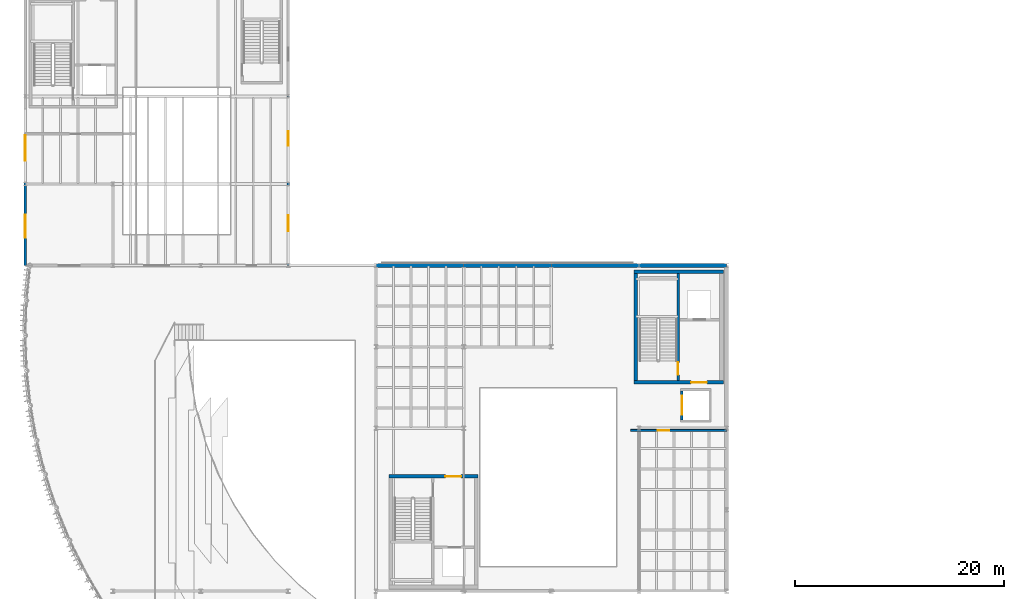
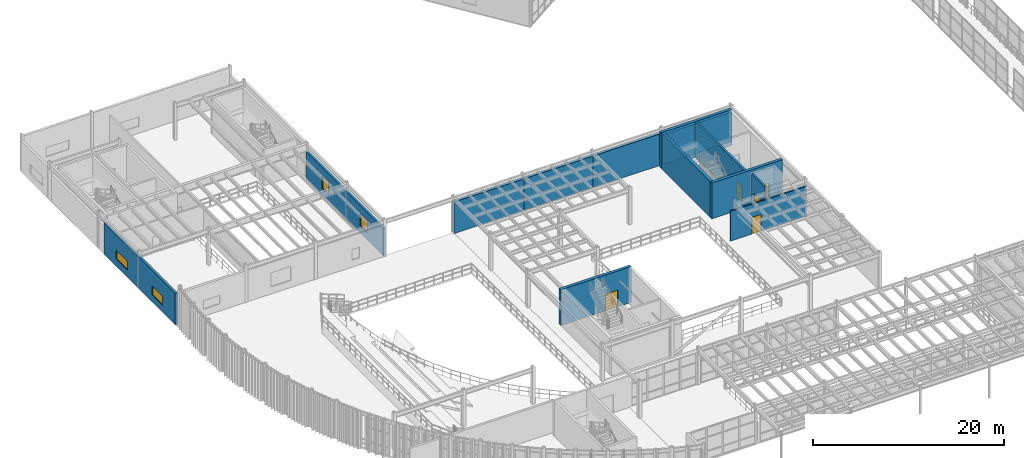
# One storey, part 87 of 105: 13 walls, 5 doors, 4 windows, 9 openings.
"""IFC4 building model written with IfcOpenShell, lengths in metres."""

from ifc_helpers import new_model, si_unit, direction, frame, frame_2d, origin, place, context, subcontext, project, spatial, rectangle, extrude, material, layer, layer_set, type_object, element, fill, save


model = new_model("IFC4")

# Units and contexts
model_context = context("Model", 3, precision=1e-05, world=origin(), true_north=direction((0.0, 1.0)))
body_context = subcontext(model_context, "Body", "Model", "MODEL_VIEW")
ifc_project = project(units=[si_unit("LENGTHUNIT", "METRE"), si_unit("AREAUNIT", "SQUARE_METRE"), si_unit("VOLUMEUNIT", "CUBIC_METRE"), si_unit("PLANEANGLEUNIT", "RADIAN"), si_unit("MASSUNIT", "GRAM", prefix="KILO")], contexts=[model_context])

# Site, building, storey
site_placement = place(None, origin())
site = spatial("IfcSite", under=ifc_project, at=site_placement, CompositionType="ELEMENT")
building_placement = place(site_placement, origin())
building = spatial("IfcBuilding", under=site, at=building_placement, Name="Selat Folded Stagehouse", CompositionType="ELEMENT")
storey_placement = place(building_placement, frame((0.0, 0.0, 10.199951171875)))
storey = spatial("IfcBuildingStorey", under=building, at=storey_placement, Name="L02", CompositionType="ELEMENT", Elevation=10.199951171875)

# Wall, opening, door
ifc_material_1 = material(Name="Concrete C40/50", Category="concrete")
ifc_layer_1 = layer(ifc_material_1, 0.179931640625)
ifc_layer_set_1 = layer_set([ifc_layer_1], Name="Concrete C40/50")
wall_type_1 = type_object("IfcWallType", Name="WAL-COMP-180", PredefinedType="STANDARD", material=ifc_layer_set_1)
wall_1_placement = place(storey_placement, frame((58.0, 38.800048828125, 0.0), z_axis=(0.0, 0.0, 1.0), x_axis=(1.0, 0.0, 0.0)))
wall_1 = element("IfcWall", 1, at=wall_1_placement, inside=storey, type_object=wall_type_1, Name="L02 interior partition wall 068", PredefinedType="STANDARD", context=body_context, shape_type="SweptSolid", body=[
    extrude(rectangle(XDim=9.199951171875, YDim=0.179931640625, at=frame_2d((4.60009765625, 0.0))), origin(), (0.0, 0.0, 1.0), 3.822265625),
])
opening_1_placement = place(wall_1_placement, frame((2.592041015625, 0.0, 0.0)))
opening_1 = element("IfcOpeningElement", 2, at=opening_1_placement, cuts=wall_1, Name="Opening FD-60", PredefinedType="OPENING", context=body_context, shape_type="SweptSolid", body=[
    extrude(rectangle(XDim=1.10009765625, YDim=2.14990234375, at=frame_2d((0.550048828125, 1.074951171875))), frame((0.0, 0.099853515625, 0.0), z_axis=(0.0, -1.0, 0.0), x_axis=(1.0, 0.0, 0.0)), (0.0, 0.0, 1.0), 0.199951171875),
])
ifc_material_2 = material(Name="Fire-rated timber core door", Category="wood")
door_type_1 = type_object("IfcDoorType", Name="DOR-FIRE-60", OperationType="NOTDEFINED", PredefinedType="DOOR", material=ifc_material_2)
door_1_placement = place(opening_1_placement, origin())
door_1 = element("IfcDoor", 3, at=door_1_placement, inside=storey, type_object=door_type_1, Name="L02 interior door IWAL-L02-068-1", OperationType="SINGLE_SWING_RIGHT", OverallHeight=2.14990234375, OverallWidth=1.10009765625, PredefinedType="DOOR", context=body_context, shape_type="SweptSolid", body=[
    extrude(rectangle(XDim=1.10009765625, YDim=2.14990234375, at=frame_2d((0.550048828125, 1.074951171875))), frame((0.0, 0.02490234375, 0.0), z_axis=(0.0, -1.0, 0.0), x_axis=(1.0, 0.0, 0.0)), (0.0, 0.0, 1.0), 0.050048828125),
])
fill(opening_1, door_1)

ifc_layer_2 = layer(ifc_material_1, 0.215087890625)
ifc_layer_set_2 = layer_set([ifc_layer_2], Name="Concrete C40/50")
wall_type_2 = type_object("IfcWallType", Name="WAL-COMP-215", PredefinedType="STANDARD", material=ifc_layer_set_2)
wall_2_placement = place(storey_placement, frame((62.89990234375, 39.8076171875, 0.0), z_axis=(0.0, 0.0, 1.0), x_axis=(0.0, 1.0, 0.0)))
wall_2 = element("IfcWall", 4, at=wall_2_placement, inside=storey, type_object=wall_type_2, Name="L02 GL-01 west front wall", PredefinedType="STANDARD", context=body_context, shape_type="SweptSolid", body=[
    extrude(rectangle(XDim=2.784912109375, YDim=0.215087890625, at=frame_2d((1.392578125, 0.0))), origin(), (0.0, 0.0, 1.0), 4.592041015625),
])
opening_2_placement = place(wall_2_placement, frame((0.492431640625, 0.0, 0.0)))
opening_2 = element("IfcOpeningElement", 5, at=opening_2_placement, cuts=wall_2, Name="Opening LD-02", PredefinedType="OPENING", context=body_context, shape_type="SweptSolid", body=[
    extrude(rectangle(XDim=1.800048828125, YDim=2.39990234375, at=frame_2d((0.89990234375, 1.199951171875))), frame((0.0, 0.117431640625, 0.0), z_axis=(0.0, -1.0, 0.0), x_axis=(1.0, 0.0, 0.0)), (0.0, 0.0, 1.0), 0.235107421875),
])
ifc_material_3 = material(Name="Goods lift heavy sliding landing door", Category="wood")
door_type_2 = type_object("IfcDoorType", Name="DOR-LFT-1800", OperationType="NOTDEFINED", PredefinedType="DOOR", material=ifc_material_3)
door_2_placement = place(opening_2_placement, origin())
door_2 = element("IfcDoor", 6, at=door_2_placement, inside=storey, type_object=door_type_2, Name="L02 GL-01 lift sliding landing door", OperationType="SLIDING_TO_RIGHT", OverallHeight=2.39990234375, OverallWidth=1.800048828125, PredefinedType="DOOR", context=body_context, shape_type="SweptSolid", body=[
    extrude(rectangle(XDim=1.800048828125, YDim=2.39990234375, at=frame_2d((0.89990234375, 1.199951171875))), frame((0.0, 0.02490234375, 0.0), z_axis=(0.0, -1.0, 0.0), x_axis=(1.0, 0.0, 0.0)), (0.0, 0.0, 1.0), 0.050048828125),
])
fill(opening_2, door_2)

ifc_material_4 = material(Name="Concrete C50/60", Category="concrete")
ifc_layer_3 = layer(ifc_material_4, 0.25)
ifc_layer_set_3 = layer_set([ifc_layer_3], Name="Concrete C50/60")
wall_type_3 = type_object("IfcWallType", Name="WAL-CORE-250", PredefinedType="SHEAR", material=ifc_layer_set_3)
wall_3_placement = place(storey_placement, frame((62.550048828125, 53.824951171875, 0.0), z_axis=(0.0, 0.0, 1.0), x_axis=(0.0, -1.0, 0.0)))
wall_3 = element("IfcWall", 7, at=wall_3_placement, inside=storey, type_object=wall_type_3, Name="L02 CR-2 internal core divider wall", PredefinedType="SHEAR", context=body_context, shape_type="SweptSolid", body=[
    extrude(rectangle(XDim=10.25, YDim=0.25, at=frame_2d((5.125, 0.0))), origin(), (0.0, 0.0, 1.0), 4.60009765625),
])
opening_3_placement = place(wall_3_placement, frame((8.5, 0.0, 0.0)))
opening_3 = element("IfcOpeningElement", 8, at=opening_3_placement, cuts=wall_3, Name="Opening FD-120", PredefinedType="OPENING", context=body_context, shape_type="SweptSolid", body=[
    extrude(rectangle(XDim=1.199951171875, YDim=2.14990234375, at=frame_2d((0.60009765625, 1.074951171875))), frame((0.0, 0.135009765625, 0.0), z_axis=(0.0, -1.0, 0.0), x_axis=(1.0, 0.0, 0.0)), (0.0, 0.0, 1.0), 0.27001953125),
])
ifc_material_5 = material(Name="Fire-rated steel acoustic door", Category="steel")
door_type_3 = type_object("IfcDoorType", Name="DOR-FIRE-120", OperationType="NOTDEFINED", PredefinedType="DOOR", material=ifc_material_5)
door_3_placement = place(opening_3_placement, origin())
door_3 = element("IfcDoor", 9, at=door_3_placement, inside=storey, type_object=door_type_3, Name="L02 CR-2 protected stair fire door", OperationType="SINGLE_SWING_LEFT", OverallHeight=2.14990234375, OverallWidth=1.199951171875, PredefinedType="DOOR", context=body_context, shape_type="SweptSolid", body=[
    extrude(rectangle(XDim=1.199951171875, YDim=2.14990234375, at=frame_2d((0.60009765625, 1.074951171875))), frame((0.0, 0.02490234375, 0.0), z_axis=(0.0, -1.0, 0.0), x_axis=(1.0, 0.0, 0.0)), (0.0, 0.0, 1.0), 0.050048828125),
])
fill(opening_3, door_3)

# Wall, openings, windows
ifc_material_6 = material(Name="Precast concrete C40/50", Category="concrete")
ifc_layer_4 = layer(ifc_material_6, 0.27490234375)
ifc_layer_set_4 = layer_set([ifc_layer_4], Name="Precast concrete C40/50")
wall_type_4 = type_object("IfcWallType", Name="WAL-EXT-275", PredefinedType="STANDARD", material=ifc_layer_set_4)
wall_4_placement = place(storey_placement, frame((0.0, 54.60009765625, 0.0), z_axis=(0.0, 0.0, 1.0), x_axis=(0.0, 1.0, 0.0)))
wall_4 = element("IfcWall", 10, at=wall_4_placement, inside=storey, type_object=wall_type_4, Name="L02 exterior facade wall EW-L02-V4W-1", PredefinedType="STANDARD", context=body_context, shape_type="SweptSolid", body=[
    extrude(rectangle(XDim=15.0, YDim=0.27490234375, at=frame_2d((7.5, 0.0))), origin(), (0.0, 0.0, 1.0), 4.032470703125),
])
opening_4_placement = place(wall_4_placement, frame((2.64990234375, 0.0, 0.89990234375)))
opening_4 = element("IfcOpeningElement", 11, at=opening_4_placement, cuts=wall_4, Name="Opening WN-13", PredefinedType="OPENING", context=body_context, shape_type="SweptSolid", body=[
    extrude(rectangle(XDim=2.199951171875, YDim=1.14990234375, at=frame_2d((1.10009765625, 0.574951171875))), frame((0.0, 0.1474609375, 0.0), z_axis=(0.0, -1.0, 0.0), x_axis=(1.0, 0.0, 0.0)), (0.0, 0.0, 1.0), 0.294921875),
])
opening_5_placement = place(wall_4_placement, frame((10.050048828125, 0.0, 0.89990234375)))
opening_5 = element("IfcOpeningElement", 12, at=opening_5_placement, cuts=wall_4, Name="Opening WN-12", PredefinedType="OPENING", context=body_context, shape_type="SweptSolid", body=[
    extrude(rectangle(XDim=2.39990234375, YDim=1.14990234375, at=frame_2d((1.199951171875, 0.574951171875))), frame((0.0, 0.1474609375, 0.0), z_axis=(0.0, -1.0, 0.0), x_axis=(1.0, 0.0, 0.0)), (0.0, 0.0, 1.0), 0.294921875),
])
ifc_material_7 = material(Name="Thermally broken aluminium and acoustic low-E glass", Category="aluminium")
window_type_1 = type_object("IfcWindowType", Name="WIN-CL-2200x1150", PartitioningType="SINGLE_PANEL", PredefinedType="WINDOW", material=ifc_material_7)
window_1_placement = place(opening_4_placement, origin())
window_1 = element("IfcWindow", 13, at=window_1_placement, inside=storey, type_object=window_type_1, Name="L02 exterior window EW-L02-V4W-1-1", OverallHeight=1.14990234375, OverallWidth=2.199951171875, PartitioningType="SINGLE_PANEL", PredefinedType="WINDOW", context=body_context, shape_type="SweptSolid", body=[
    extrude(rectangle(XDim=2.199951171875, YDim=1.14990234375, at=frame_2d((1.10009765625, 0.574951171875))), frame((0.0, 0.030029296875, 0.0), z_axis=(0.0, -1.0, 0.0), x_axis=(1.0, 0.0, 0.0)), (0.0, 0.0, 1.0), 0.06005859375),
])
fill(opening_4, window_1)
window_type_2 = type_object("IfcWindowType", Name="WIN-CL-2400x1150", PartitioningType="SINGLE_PANEL", PredefinedType="WINDOW", material=ifc_material_7)
window_2_placement = place(opening_5_placement, origin())
window_2 = element("IfcWindow", 14, at=window_2_placement, inside=storey, type_object=window_type_2, Name="L02 exterior window EW-L02-V4W-1-2", OverallHeight=1.14990234375, OverallWidth=2.39990234375, PartitioningType="SINGLE_PANEL", PredefinedType="WINDOW", context=body_context, shape_type="SweptSolid", body=[
    extrude(rectangle(XDim=2.39990234375, YDim=1.14990234375, at=frame_2d((1.199951171875, 0.574951171875))), frame((0.0, 0.030029296875, 0.0), z_axis=(0.0, -1.0, 0.0), x_axis=(1.0, 0.0, 0.0)), (0.0, 0.0, 1.0), 0.06005859375),
])
fill(opening_5, window_2)

wall_5_placement = place(storey_placement, frame((25.199951171875, 70.800048828125, 0.0), z_axis=(0.0, 0.0, 1.0), x_axis=(0.0, -1.0, 0.0)))
wall_5 = element("IfcWall", 15, at=wall_5_placement, inside=storey, type_object=wall_type_4, Name="L02 exterior facade wall EW-L02-V4E-2", PredefinedType="STANDARD", context=body_context, shape_type="SweptSolid", body=[
    extrude(rectangle(XDim=16.199951171875, YDim=0.27490234375, at=frame_2d((8.10009765625, 0.0))), origin(), (0.0, 0.0, 1.0), 3.56396484375),
])
opening_6_placement = place(wall_5_placement, frame((3.35009765625, 0.0, 0.89990234375)))
opening_6 = element("IfcOpeningElement", 16, at=opening_6_placement, cuts=wall_5, Name="Opening WN-23", PredefinedType="OPENING", context=body_context, shape_type="SweptSolid", body=[
    extrude(rectangle(XDim=1.39990234375, YDim=1.60009765625, at=frame_2d((0.699951171875, 0.800048828125))), frame((0.0, 0.1474609375, 0.0), z_axis=(0.0, -1.0, 0.0), x_axis=(1.0, 0.0, 0.0)), (0.0, 0.0, 1.0), 0.294921875),
])
opening_7_placement = place(wall_5_placement, frame((11.375, 0.0, 0.89990234375)))
opening_7 = element("IfcOpeningElement", 17, at=opening_7_placement, cuts=wall_5, Name="Opening WN-22", PredefinedType="OPENING", context=body_context, shape_type="SweptSolid", body=[
    extrude(rectangle(XDim=1.550048828125, YDim=1.60009765625, at=frame_2d((0.77490234375, 0.800048828125))), frame((0.0, 0.1474609375, 0.0), z_axis=(0.0, -1.0, 0.0), x_axis=(1.0, 0.0, 0.0)), (0.0, 0.0, 1.0), 0.294921875),
])
window_type_3 = type_object("IfcWindowType", Name="WIN-DR-1400x1600", PartitioningType="SINGLE_PANEL", PredefinedType="WINDOW", material=ifc_material_7)
window_3_placement = place(opening_6_placement, origin())
window_3 = element("IfcWindow", 18, at=window_3_placement, inside=storey, type_object=window_type_3, Name="L02 exterior window EW-L02-V4E-2-1", OverallHeight=1.60009765625, OverallWidth=1.39990234375, PartitioningType="SINGLE_PANEL", PredefinedType="WINDOW", context=body_context, shape_type="SweptSolid", body=[
    extrude(rectangle(XDim=1.39990234375, YDim=1.60009765625, at=frame_2d((0.699951171875, 0.800048828125))), frame((0.0, 0.030029296875, 0.0), z_axis=(0.0, -1.0, 0.0), x_axis=(1.0, 0.0, 0.0)), (0.0, 0.0, 1.0), 0.06005859375),
])
fill(opening_6, window_3)
window_type_4 = type_object("IfcWindowType", Name="WIN-DR-1550x1600", PartitioningType="SINGLE_PANEL", PredefinedType="WINDOW", material=ifc_material_7)
window_4_placement = place(opening_7_placement, origin())
window_4 = element("IfcWindow", 19, at=window_4_placement, inside=storey, type_object=window_type_4, Name="L02 exterior window EW-L02-V4E-2-2", OverallHeight=1.60009765625, OverallWidth=1.550048828125, PartitioningType="SINGLE_PANEL", PredefinedType="WINDOW", context=body_context, shape_type="SweptSolid", body=[
    extrude(rectangle(XDim=1.550048828125, YDim=1.60009765625, at=frame_2d((0.77490234375, 0.800048828125))), frame((0.0, 0.030029296875, 0.0), z_axis=(0.0, -1.0, 0.0), x_axis=(1.0, 0.0, 0.0)), (0.0, 0.0, 1.0), 0.06005859375),
])
fill(opening_7, window_4)

# Walls
ifc_layer_5 = layer(ifc_material_6, 0.3798828125)
ifc_layer_set_5 = layer_set([ifc_layer_5], Name="Precast concrete C40/50")
wall_type_5 = type_object("IfcWallType", Name="WAL-EXT-380", PredefinedType="STANDARD", material=ifc_layer_set_5)
for number, where, z_axis, x_axis, name in (
    (20, (33.60009765625, 54.60009765625, 0.0), (0.0, 0.0, 1.0), (1.0, 0.0, 0.0), "L02 exterior facade wall EW-L02-V2N-33"),
    (21, (42.0, 54.60009765625, 0.0), (0.0, 0.0, 1.0), (1.0, 0.0, 0.0), "L02 exterior facade wall EW-L02-V2N-42"),
):
    element("IfcWall", number, at=place(storey_placement, frame(where, z_axis=z_axis, x_axis=x_axis)), inside=storey, type_object=wall_type_5, Name=name, PredefinedType="STANDARD", context=body_context, shape_type="SweptSolid", body=[
        extrude(rectangle(XDim=8.39990234375, YDim=0.3798828125, at=frame_2d((4.199951171875, 0.0))), origin(), (0.0, 0.0, 1.0), 4.052734375),
    ])
wall_6_placement = place(storey_placement, frame((50.39990234375, 54.60009765625, 0.0), z_axis=(0.0, 0.0, 1.0), x_axis=(1.0, 0.0, 0.0)))
element("IfcWall", 22, at=wall_6_placement, inside=storey, type_object=wall_type_5, Name="L02 exterior facade wall EW-L02-V2N-50", PredefinedType="STANDARD", context=body_context, shape_type="SweptSolid", body=[
    extrude(rectangle(XDim=8.400146484375, YDim=0.3798828125, at=frame_2d((4.2001953125, 0.0))), origin(), (0.0, 0.0, 1.0), 4.052734375),
])
wall_7_placement = place(storey_placement, frame((58.800048828125, 54.60009765625, 0.0), z_axis=(0.0, 0.0, 1.0), x_axis=(1.0, 0.0, 0.0)))
element("IfcWall", 23, at=wall_7_placement, inside=storey, type_object=wall_type_5, Name="L02 exterior facade wall EW-L02-V2N-58", PredefinedType="STANDARD", context=body_context, shape_type="SweptSolid", body=[
    extrude(rectangle(XDim=8.39990234375, YDim=0.3798828125, at=frame_2d((4.199951171875, 0.0))), origin(), (0.0, 0.0, 1.0), 3.822265625),
])

# Wall, opening, door
ifc_layer_6 = layer(ifc_material_4, 0.35009765625)
ifc_layer_set_6 = layer_set([ifc_layer_6], Name="Concrete C50/60")
wall_type_6 = type_object("IfcWallType", Name="WAL-SW-350", PredefinedType="SHEAR", material=ifc_layer_set_6)
wall_8_placement = place(storey_placement, frame((34.824951171875, 34.39990234375, 0.0), z_axis=(0.0, 0.0, 1.0), x_axis=(1.0, 0.0, 0.0)))
wall_8 = element("IfcWall", 24, at=wall_8_placement, inside=storey, type_object=wall_type_6, Name="L02 CR-1 north shear wall", PredefinedType="SHEAR", context=body_context, shape_type="SweptSolid", body=[
    extrude(rectangle(XDim=8.550048828125, YDim=0.35009765625, at=frame_2d((4.27490234375, 0.0))), origin(), (0.0, 0.0, 1.0), 4.60009765625),
])
opening_8_placement = place(wall_8_placement, frame((5.425048828125, 0.0, 0.0)))
opening_8 = element("IfcOpeningElement", 25, at=opening_8_placement, cuts=wall_8, Name="Opening FD-120B", PredefinedType="OPENING", context=body_context, shape_type="SweptSolid", body=[
    extrude(rectangle(XDim=1.5, YDim=2.14990234375, at=frame_2d((0.75, 1.074951171875))), frame((0.0, 0.18505859375, 0.0), z_axis=(0.0, -1.0, 0.0), x_axis=(1.0, 0.0, 0.0)), (0.0, 0.0, 1.0), 0.3701171875),
])
ifc_material_8 = material(Name="Firefighting lobby double-leaf fire door", Category="wood")
door_type_4 = type_object("IfcDoorType", Name="DOR-FFL-1500", OperationType="NOTDEFINED", PredefinedType="DOOR", material=ifc_material_8)
door_4_placement = place(opening_8_placement, origin())
door_4 = element("IfcDoor", 26, at=door_4_placement, inside=storey, type_object=door_type_4, Name="L02 CR-1 core lobby fire door", OperationType="SINGLE_SWING_RIGHT", OverallHeight=2.14990234375, OverallWidth=1.5, PredefinedType="DOOR", context=body_context, shape_type="SweptSolid", body=[
    extrude(rectangle(XDim=1.5, YDim=2.14990234375, at=frame_2d((0.75, 1.074951171875))), frame((0.0, 0.02490234375, 0.0), z_axis=(0.0, -1.0, 0.0), x_axis=(1.0, 0.0, 0.0)), (0.0, 0.0, 1.0), 0.050048828125),
])
fill(opening_8, door_4)

wall_9_placement = place(storey_placement, frame((66.875, 43.39990234375, 0.0), z_axis=(0.0, 0.0, 1.0), x_axis=(-1.0, 0.0, 0.0)))
wall_9 = element("IfcWall", 27, at=wall_9_placement, inside=storey, type_object=wall_type_6, Name="L02 CR-2 south shear wall", PredefinedType="SHEAR", context=body_context, shape_type="SweptSolid", body=[
    extrude(rectangle(XDim=8.550048828125, YDim=0.35009765625, at=frame_2d((4.27490234375, 0.0))), origin(), (0.0, 0.0, 1.0), 4.60009765625),
])
opening_9_placement = place(wall_9_placement, frame((1.574951171875, 0.0, 0.0)))
opening_9 = element("IfcOpeningElement", 28, at=opening_9_placement, cuts=wall_9, Name="Opening FD-120B", PredefinedType="OPENING", context=body_context, shape_type="SweptSolid", body=[
    extrude(rectangle(XDim=1.5, YDim=2.14990234375, at=frame_2d((0.75, 1.074951171875))), frame((0.0, 0.18505859375, 0.0), z_axis=(0.0, -1.0, 0.0), x_axis=(1.0, 0.0, 0.0)), (0.0, 0.0, 1.0), 0.3701171875),
])
door_5_placement = place(opening_9_placement, origin())
door_5 = element("IfcDoor", 29, at=door_5_placement, inside=storey, type_object=door_type_4, Name="L02 CR-2 core lobby fire door", OperationType="SINGLE_SWING_RIGHT", OverallHeight=2.14990234375, OverallWidth=1.5, PredefinedType="DOOR", context=body_context, shape_type="SweptSolid", body=[
    extrude(rectangle(XDim=1.5, YDim=2.14990234375, at=frame_2d((0.75, 1.074951171875))), frame((0.0, 0.02490234375, 0.0), z_axis=(0.0, -1.0, 0.0), x_axis=(1.0, 0.0, 0.0)), (0.0, 0.0, 1.0), 0.050048828125),
])
fill(opening_9, door_5)

# Walls
wall_10_placement = place(storey_placement, frame((58.324951171875, 54.0, 0.0), z_axis=(0.0, 0.0, 1.0), x_axis=(1.0, 0.0, 0.0)))
element("IfcWall", 30, at=wall_10_placement, inside=storey, type_object=wall_type_6, Name="L02 CR-2 north shear wall", PredefinedType="SHEAR", context=body_context, shape_type="SweptSolid", body=[
    extrude(rectangle(XDim=8.550048828125, YDim=0.35009765625, at=frame_2d((4.27490234375, 0.0))), origin(), (0.0, 0.0, 1.0), 4.60009765625),
])
wall_11_placement = place(storey_placement, frame((58.5, 43.574951171875, 0.0), z_axis=(0.0, 0.0, 1.0), x_axis=(0.0, 1.0, 0.0)))
element("IfcWall", 31, at=wall_11_placement, inside=storey, type_object=wall_type_6, Name="L02 CR-2 west shear wall", PredefinedType="SHEAR", context=body_context, shape_type="SweptSolid", body=[
    extrude(rectangle(XDim=10.25, YDim=0.35009765625, at=frame_2d((5.125, 0.0))), origin(), (0.0, 0.0, 1.0), 4.60009765625),
])

save(model, "model.ifc")
